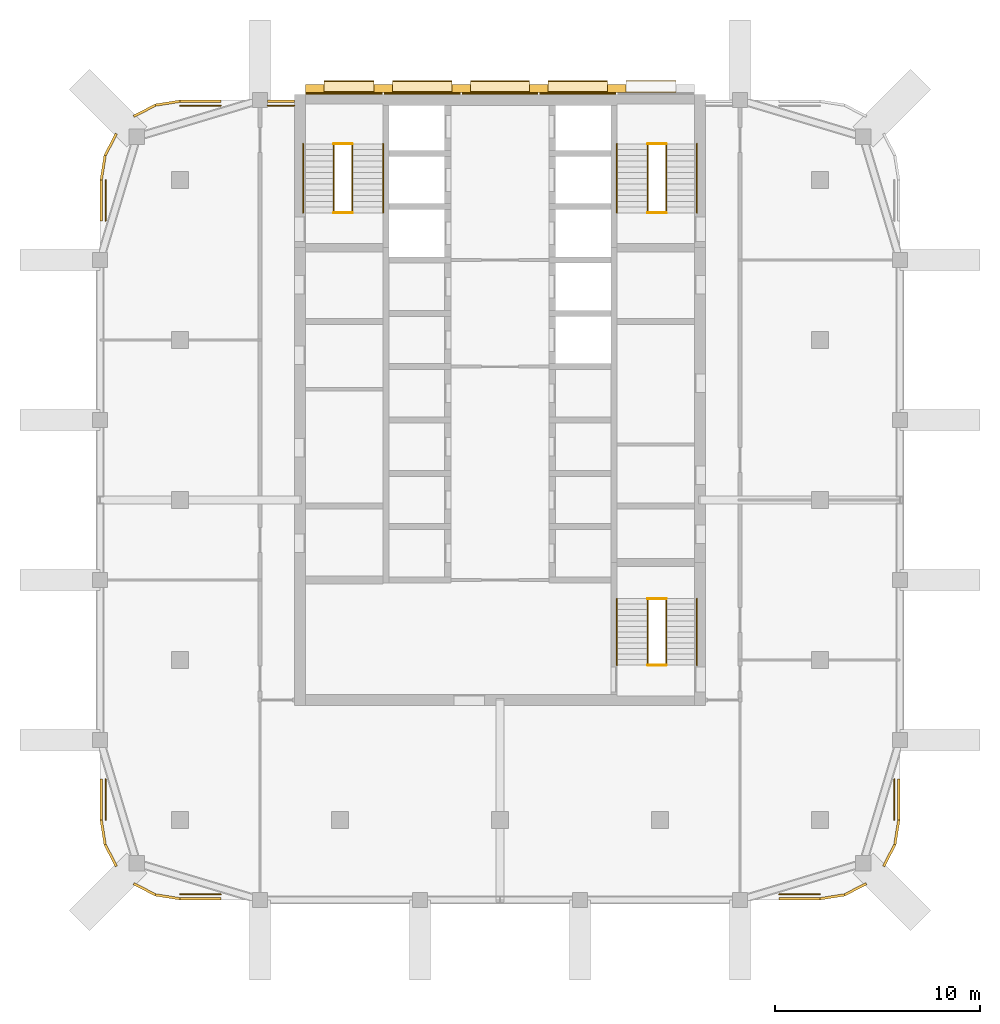
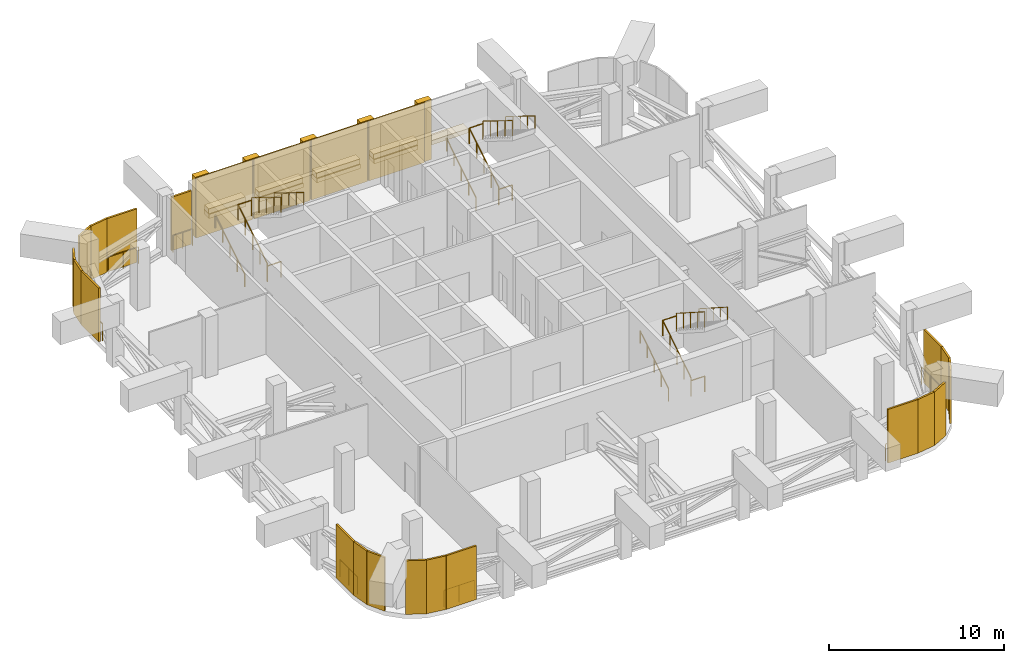
# One storey, part 12 of 13: 25 railings, 19 shading devices, 18 coverings, 3 elements without a shape of their own.
"""IFC4 building model written with IfcOpenShell, lengths in metres."""

import ifcopenshell
import ifcopenshell.guid

model = None  # the IFC model being written
_history = None  # IfcOwnerHistory: only IFC2X3 demands one
_inside = {}  # id of a spatial element -> (the spatial element, [elements in it])
_under = {}  # id of a project, library or spatial element -> (it, [spatial elements below it])
_declared = {}  # id of a project -> (the project, [libraries it declares])
_typed = {}  # id of a type object -> (the type object, [elements of that type])
_made_of = {}  # id of a material, layer set ... -> (it, [elements and type objects made of it])


def new_model(schema):
    """Start an empty IFC model of exactly this schema.

    Asked for "IFC4X3", IfcOpenShell would pick the latest addendum, in which some entities
    have other attributes; the version numbers below select the first issue.
    IFC2X3 requires an IfcOwnerHistory on every rooted entity: one is made here for all.
    """
    global model, _history
    if schema == "IFC4X3":
        model = ifcopenshell.file(schema_version=(4, 3, 0, 0))
    else:
        model = ifcopenshell.file(schema=schema)
    _inside.clear()
    _under.clear()
    _declared.clear()
    _typed.clear()
    _made_of.clear()
    _history = None
    if model.schema == "IFC2X3":
        org = make("IfcOrganization", Name="unknown")
        user = make(
            "IfcPersonAndOrganization",
            ThePerson=make("IfcPerson", FamilyName="unknown"),
            TheOrganization=org,
        )
        app = make(
            "IfcApplication",
            ApplicationDeveloper=org,
            Version="unknown",
            ApplicationFullName="unknown",
            ApplicationIdentifier="unknown",
        )
        _history = make(
            "IfcOwnerHistory",
            OwningUser=user,
            OwningApplication=app,
            ChangeAction="ADDED",
            CreationDate=0,
        )
    return model


def make(cls, **values):
    """One entity of the class cls with the attributes given. An attribute that is None is left unset."""
    return model.create_entity(
        cls, **{name: value for name, value in values.items() if value is not None}
    )


def rooted(cls, **values):
    """An entity with a GlobalId (a new one), such as an element, a storey or a relation."""
    return make(cls, GlobalId=ifcopenshell.guid.new(), OwnerHistory=_history, **values)


def si_unit(unit_type, name, prefix=None):
    """IfcSIUnit, for example si_unit("LENGTHUNIT", "METRE", prefix="MILLI")."""
    return make("IfcSIUnit", UnitType=unit_type, Prefix=prefix, Name=name)


def assignment(units):
    """IfcUnitAssignment: the units of a project."""
    return None if units is None else make("IfcUnitAssignment", Units=units)


def point(xyz):
    """IfcCartesianPoint."""
    return None if xyz is None else make("IfcCartesianPoint", Coordinates=xyz)


def direction(xyz):
    """IfcDirection."""
    return None if xyz is None else make("IfcDirection", DirectionRatios=xyz)


def frame(location, z_axis=None, x_axis=None):
    """IfcAxis2Placement3D, a coordinate frame: its origin and axes. An axis left out is left unset."""
    return make(
        "IfcAxis2Placement3D",
        Location=point(location),
        Axis=direction(z_axis),
        RefDirection=direction(x_axis),
    )


def frame_2d(location, x_axis=None):
    """IfcAxis2Placement2D, a coordinate frame in the plane: its origin and x axis."""
    return make(
        "IfcAxis2Placement2D", Location=point(location), RefDirection=direction(x_axis)
    )


def origin():
    """The frame at (0, 0, 0) with its axes left unset."""
    return frame((0.0, 0.0, 0.0))


def origin_2d():
    """The frame at (0, 0) in the plane with its x axis left unset."""
    return frame_2d((0.0, 0.0))


def place(relative_to, where):
    """IfcLocalPlacement: puts the frame where relative to a parent placement (None: the world)."""
    return make(
        "IfcLocalPlacement", PlacementRelTo=relative_to, RelativePlacement=where
    )


def context(
    kind, dimensions, precision=None, world=None, true_north=None, identifier=None
):
    """IfcGeometricRepresentationContext, for example the 3D "Model" context."""
    return make(
        "IfcGeometricRepresentationContext",
        ContextIdentifier=identifier,
        ContextType=kind,
        CoordinateSpaceDimension=dimensions,
        Precision=precision,
        WorldCoordinateSystem=world,
        TrueNorth=true_north,
    )


def subcontext(parent, identifier, kind, view, scale=None):
    """IfcGeometricRepresentationSubContext, for example "Body" below "Model"."""
    return make(
        "IfcGeometricRepresentationSubContext",
        ContextIdentifier=identifier,
        ContextType=kind,
        ParentContext=parent,
        TargetScale=scale,
        TargetView=view,
    )


def project(units=None, contexts=None):
    """IfcProject with its units and contexts."""
    return rooted(
        "IfcProject",
        Name="project",
        RepresentationContexts=contexts,
        UnitsInContext=assignment(units),
    )


def spatial(cls, under=None, at=None, **own):
    """A site, building, storey or space (cls), placed at a placement, below another one or the project."""
    s = rooted(cls, ObjectPlacement=at, **own)
    if under is not None:
        _under.setdefault(under.id(), (under, []))[1].append(s)
    return s


def profile(cls, at=None, kind="AREA", **sizes):
    """A parametric profile (cls). Its sizes go by their IFC names, for example OverallWidth=200.0."""
    return make(cls, ProfileType=kind, Position=at, **sizes)


def rectangle(**sizes):
    """IfcRectangleProfileDef."""
    return profile("IfcRectangleProfileDef", **sizes)


def circle(**sizes):
    """IfcCircleProfileDef."""
    return profile("IfcCircleProfileDef", **sizes)


def extrude(swept, where, along, depth):
    """IfcExtrudedAreaSolid: the profile swept, set in the frame where, extruded along a direction by depth."""
    return make(
        "IfcExtrudedAreaSolid",
        SweptArea=swept,
        Position=where,
        ExtrudedDirection=direction(along),
        Depth=depth,
    )


def shape(context_of_items, identifier, shape_type, items):
    """IfcShapeRepresentation: the items that make up one representation, for example the "Body"."""
    return make(
        "IfcShapeRepresentation",
        ContextOfItems=context_of_items,
        RepresentationIdentifier=identifier,
        RepresentationType=shape_type,
        Items=items,
    )


def material(Name=None, Category=None):
    """IfcMaterial."""
    return make("IfcMaterial", Name=Name, Category=Category)


def layer(
    of_material, thickness, ventilated=None, Name=None, Category=None, Priority=None
):
    """IfcMaterialLayer: one layer of a wall or slab, of a material (None: an air gap)."""
    return make(
        "IfcMaterialLayer",
        Material=of_material,
        LayerThickness=thickness,
        IsVentilated=ventilated,
        Name=Name,
        Category=Category,
        Priority=Priority,
    )


def layer_set(layers, Name=None):
    """IfcMaterialLayerSet."""
    return make("IfcMaterialLayerSet", MaterialLayers=layers, LayerSetName=Name)


def made_of(thing, what):
    """Note that an element or type object is made of a material, layer set ...; save() writes the relation."""
    if what is not None:
        _made_of.setdefault(what.id(), (what, []))[1].append(thing)
    return thing


def type_object(cls, material=None, **own):
    """A type object (cls), such as IfcWallType, which elements share."""
    return made_of(rooted(cls, **own), material)


def element(
    cls,
    number,
    at=None,
    inside=None,
    cuts=None,
    type_object=None,
    material=None,
    context=None,
    identifier="Body",
    shape_type=None,
    held_by="IfcProductDefinitionShape",
    body=None,
    shapes=None,
    **own,
):
    """One element of the class cls, such as IfcWall. Its Tag is "e" and its number.

    at: its placement. inside: the storey or other place that contains it. cuts: it is an
    opening in that element (IfcRelVoidsElement). A single representation is given by context,
    identifier, shape_type and body (its items); several are given by shapes. held_by: the class
    of the entity that holds the representations. save() writes the other relations.
    """
    e = rooted(cls, Tag="e%d" % number, ObjectPlacement=at, **own)
    if body is not None:
        shapes = [shape(context, identifier, shape_type, body)]
    if shapes is not None:
        e.Representation = make(held_by, Representations=shapes)
    if inside is not None:
        _inside.setdefault(inside.id(), (inside, []))[1].append(e)
    if cuts is not None:
        rooted(
            "IfcRelVoidsElement", RelatingBuildingElement=cuts, RelatedOpeningElement=e
        )
    if type_object is not None:
        _typed.setdefault(type_object.id(), (type_object, []))[1].append(e)
    return made_of(e, material)


def aggregate(whole, parts):
    """IfcRelAggregates: a whole, such as a stair, and the parts it consists of."""
    return rooted("IfcRelAggregates", RelatingObject=whole, RelatedObjects=parts)


def save(model, path):
    """Write the relations noted so far, then the file.

    IfcRelAggregates (storeys below a building ...), IfcRelContainedInSpatialStructure (elements
    in a storey), IfcRelDefinesByType, IfcRelAssociatesMaterial and IfcRelDeclares: one each for
    every whole, place, type object, material and project.
    """
    for whole, parts in _under.values():
        aggregate(whole, parts)
    for where, things in _inside.values():
        rooted(
            "IfcRelContainedInSpatialStructure",
            RelatedElements=things,
            RelatingStructure=where,
        )
    for kind, things in _typed.values():
        rooted("IfcRelDefinesByType", RelatedObjects=things, RelatingType=kind)
    for what, things in _made_of.values():
        rooted("IfcRelAssociatesMaterial", RelatedObjects=things, RelatingMaterial=what)
    for by, libraries in _declared.values():
        rooted("IfcRelDeclares", RelatingContext=by, RelatedDefinitions=libraries)
    model.write(path)


model = new_model("IFC4")

# Units and contexts
model_context = context("Model", 3, precision=1e-05, world=origin(), true_north=direction((0.0, 1.0)))
body_context = subcontext(model_context, "Body", "Model", "MODEL_VIEW")
ifc_project = project(units=[si_unit("LENGTHUNIT", "METRE"), si_unit("AREAUNIT", "SQUARE_METRE"), si_unit("VOLUMEUNIT", "CUBIC_METRE"), si_unit("PLANEANGLEUNIT", "RADIAN"), si_unit("MASSUNIT", "GRAM", prefix="KILO")], contexts=[model_context])

# Site, building, storey
site_placement = place(None, origin())
site = spatial("IfcSite", under=ifc_project, at=site_placement, CompositionType="ELEMENT")
building_placement = place(site_placement, origin())
building = spatial("IfcBuilding", under=site, at=building_placement, Name="Ludao Terraces", CompositionType="ELEMENT")
storey_placement = place(building_placement, frame((0.0, 0.0, 192.800048828125)))
storey = spatial("IfcBuildingStorey", under=building, at=storey_placement, Name="L52", CompositionType="ELEMENT", Elevation=192.800048828125)

# Coverings
ifc_material_1 = material(Name="Granite cladding", Category="masonry")
ifc_layer_1 = layer(ifc_material_1, 0.39990234375)
ifc_layer_set_1 = layer_set([ifc_layer_1], Name="ENV Core pilaster stone 400")
covering_type_1 = type_object("IfcCoveringType", Name="ENV Core pilaster stone 400", PredefinedType="CLADDING", material=ifc_layer_set_1)
for number, where, z_axis, x_axis, name in (
    (1, (75.97509765625, 85.054931640625, 0.0), (0.0, 0.0, 1.0), (1.0, 0.0, 0.0), "CC-L52-PIL1"),
    (2, (79.31494140625, 85.054931640625, 0.0), (0.0, 0.0, 1.0), (1.0, 0.0, 0.0), "CC-L52-PIL2"),
    (3, (83.10498046875, 85.054931640625, 0.0), (0.0, 0.0, 1.0), (1.0, 0.0, 0.0), "CC-L52-PIL3"),
    (4, (86.89501953125, 85.054931640625, 0.0), (0.0, 0.0, 1.0), (1.0, 0.0, 0.0), "CC-L52-PIL4"),
    (5, (90.68505859375, 85.054931640625, 0.0), (0.0, 0.0, 1.0), (1.0, 0.0, 0.0), "CC-L52-PIL5"),
):
    element("IfcCovering", number, at=place(storey_placement, frame(where, z_axis=z_axis, x_axis=x_axis)), inside=storey, type_object=covering_type_1, Name=name, PredefinedType="CLADDING", context=body_context, shape_type="SweptSolid", body=[
        extrude(rectangle(XDim=0.89990234375, YDim=0.39990234375, at=origin_2d()), origin(), (0.0, 0.0, 1.0), 4.199951171875),
    ])
ifc_layer_2 = layer(ifc_material_1, 0.60009765625)
ifc_layer_set_2 = layer_set([ifc_layer_2], Name="ENV Core planting shelf stone 600")
covering_type_2 = type_object("IfcCoveringType", Name="ENV Core planting shelf stone 600", PredefinedType="CLADDING", material=ifc_layer_set_2)
covering_1_placement = place(storey_placement, frame((77.64501953125, 85.155029296875, 1.0), z_axis=(0.0, 0.0, 1.0), x_axis=(1.0, 0.0, 0.0)))
element("IfcCovering", 6, at=covering_1_placement, inside=storey, type_object=covering_type_2, Name="CC-L52-SHELF1", PredefinedType="CLADDING", context=body_context, shape_type="SweptSolid", body=[
    extrude(rectangle(XDim=2.43994140625, YDim=0.60009765625, at=origin_2d()), origin(), (0.0, 0.0, 1.0), 0.300048828125),
])
for number, where, z_axis, x_axis, name in (
    (7, (81.2099609375, 85.155029296875, 1.0), (0.0, 0.0, 1.0), (1.0, 0.0, 0.0), "CC-L52-SHELF2"),
    (8, (85.0, 85.155029296875, 1.0), (0.0, 0.0, 1.0), (1.0, 0.0, 0.0), "CC-L52-SHELF3"),
    (9, (88.7900390625, 85.155029296875, 1.0), (0.0, 0.0, 1.0), (1.0, 0.0, 0.0), "CC-L52-SHELF4"),
):
    element("IfcCovering", number, at=place(storey_placement, frame(where, z_axis=z_axis, x_axis=x_axis)), inside=storey, type_object=covering_type_2, Name=name, PredefinedType="CLADDING", context=body_context, shape_type="SweptSolid", body=[
        extrude(rectangle(XDim=2.889892578125, YDim=0.60009765625, at=origin_2d()), origin(), (0.0, 0.0, 1.0), 0.300048828125),
    ])
covering_2_placement = place(storey_placement, frame((92.35498046875, 85.155029296875, 1.0), z_axis=(0.0, 0.0, 1.0), x_axis=(1.0, 0.0, 0.0)))
element("IfcCovering", 10, at=covering_2_placement, inside=storey, type_object=covering_type_2, Name="CC-L52-SHELF5", PredefinedType="CLADDING", context=body_context, shape_type="SweptSolid", body=[
    extrude(rectangle(XDim=2.43994140625, YDim=0.60009765625, at=origin_2d()), origin(), (0.0, 0.0, 1.0), 0.300048828125),
])
ifc_layer_3 = layer(ifc_material_1, 0.080078125)
ifc_layer_set_3 = layer_set([ifc_layer_3], Name="ENV Core stone cladding panel 80")
covering_type_3 = type_object("IfcCoveringType", Name="ENV Core stone cladding panel 80", PredefinedType="CLADDING", material=ifc_layer_set_3)
covering_3_placement = place(storey_placement, frame((77.39501953125, 84.81494140625, 0.0), z_axis=(0.0, 0.0, 1.0), x_axis=(1.0, 0.0, 0.0)))
element("IfcCovering", 11, at=covering_3_placement, inside=storey, type_object=covering_type_3, Name="CC-L52-CORE1", PredefinedType="CLADDING", context=body_context, shape_type="SweptSolid", body=[
    extrude(rectangle(XDim=3.739990234375, YDim=0.080078125, at=origin_2d()), origin(), (0.0, 0.0, 1.0), 4.199951171875),
])
for number, where, z_axis, x_axis, name in (
    (12, (81.2099609375, 84.81494140625, 0.0), (0.0, 0.0, 1.0), (1.0, 0.0, 0.0), "CC-L52-CORE2"),
    (13, (85.0, 84.81494140625, 0.0), (0.0, 0.0, 1.0), (1.0, 0.0, 0.0), "CC-L52-CORE3"),
    (14, (88.7900390625, 84.81494140625, 0.0), (0.0, 0.0, 1.0), (1.0, 0.0, 0.0), "CC-L52-CORE4"),
):
    element("IfcCovering", number, at=place(storey_placement, frame(where, z_axis=z_axis, x_axis=x_axis)), inside=storey, type_object=covering_type_3, Name=name, PredefinedType="CLADDING", context=body_context, shape_type="SweptSolid", body=[
        extrude(rectangle(XDim=3.68994140625, YDim=0.080078125, at=origin_2d()), origin(), (0.0, 0.0, 1.0), 4.199951171875),
    ])

# Shading devices
ifc_material_2 = material(Name="Aluminium 6063-T6", Category="aluminium")
ifc_layer_4 = layer(ifc_material_2, 0.1201171875)
ifc_layer_set_4 = layer_set([ifc_layer_4], Name="ENV Louvre screen 120")
shading_device_type = type_object("IfcShadingDeviceType", Name="ENV Louvre screen 120", PredefinedType="USERDEFINED", material=ifc_layer_set_4)
for number, where, z_axis, x_axis, name in (
    (15, (69.39990234375, 45.56005859375, 0.0), (0.0, 0.0, 1.0), (1.0, 0.0, 0.0), "LV-L52-S1"),
    (16, (98.60791015625, 45.56005859375, 0.0), (0.0, 0.0, 1.0), (1.0, 0.0, 0.0), "LV-L52-S5"),
    (17, (104.43994140625, 49.39990234375, 0.0), (0.0, 0.0, 1.0), (0.0, 1.0, 0.0), "LV-L52-E1"),
    (18, (69.39990234375, 84.43994140625, 0.0), (0.0, 0.0, 1.0), (1.0, 0.0, 0.0), "LV-L52-N1"),
):
    element("IfcShadingDevice", number, at=place(storey_placement, frame(where, z_axis=z_axis, x_axis=x_axis)), inside=storey, type_object=shading_device_type, Name=name, ObjectType="LOUVRE", PredefinedType="USERDEFINED", context=body_context, shape_type="SweptSolid", body=[
        extrude(rectangle(XDim=1.9921875, YDim=0.1201171875, at=frame_2d((0.99609375, 0.0))), origin(), (0.0, 0.0, 1.0), 3.75),
    ])
shading_device_placement = place(storey_placement, frame((73.675048828125, 84.43994140625, 0.0), z_axis=(0.0, 0.0, 1.0), x_axis=(1.0, 0.0, 0.0)))
element("IfcShadingDevice", 19, at=shading_device_placement, inside=storey, type_object=shading_device_type, Name="LV-L52-N2", ObjectType="LOUVRE", PredefinedType="USERDEFINED", context=body_context, shape_type="SweptSolid", body=[
    extrude(rectangle(XDim=1.300048828125, YDim=0.1201171875, at=frame_2d((0.64990234375, 0.0))), origin(), (0.0, 0.0, 1.0), 3.75),
])
for number, where, z_axis, x_axis, name in (
    (20, (65.56005859375, 49.39990234375, 0.0), (0.0, 0.0, 1.0), (0.0, 1.0, 0.0), "LV-L52-W1"),
    (21, (65.56005859375, 78.60791015625, 0.0), (0.0, 0.0, 1.0), (0.0, 1.0, 0.0), "LV-L52-W5"),
):
    element("IfcShadingDevice", number, at=place(storey_placement, frame(where, z_axis=z_axis, x_axis=x_axis)), inside=storey, type_object=shading_device_type, Name=name, ObjectType="LOUVRE", PredefinedType="USERDEFINED", context=body_context, shape_type="SweptSolid", body=[
        extrude(rectangle(XDim=1.9921875, YDim=0.1201171875, at=frame_2d((0.99609375, 0.0))), origin(), (0.0, 0.0, 1.0), 3.75),
    ])
for number, where, z_axis, x_axis, name in (
    (22, (100.60009765625, 45.56005859375, 0.0), (0.0, 0.0, 1.0), (0.987680438414, 0.156484349296, 0.0), "LV-L52-SE1"),
    (23, (101.78662109375, 45.748046875, 0.0), (0.0, 0.0, 1.0), (0.891028641699, 0.453947089066, 0.0), "LV-L52-SE2"),
    (24, (103.70654296875, 47.142822265625, 0.0), (0.0, 0.0, 1.0), (0.453947089066, 0.891028641699, 0.0), "LV-L52-SE4"),
    (25, (104.251953125, 48.21337890625, 0.0), (0.0, 0.0, 1.0), (0.156484349296, 0.987680438414, 0.0), "LV-L52-SE5"),
    (26, (69.39990234375, 84.43994140625, 0.0), (0.0, 0.0, 1.0), (-0.987680438414, -0.156484349296, 0.0), "LV-L52-NW1"),
    (27, (68.21337890625, 84.251953125, 0.0), (0.0, 0.0, 1.0), (-0.891028641699, -0.453947089066, 0.0), "LV-L52-NW2"),
    (28, (66.29345703125, 82.857177734375, 0.0), (0.0, 0.0, 1.0), (-0.453947089066, -0.891028641699, 0.0), "LV-L52-NW4"),
    (29, (65.748046875, 81.78662109375, 0.0), (0.0, 0.0, 1.0), (-0.156484349296, -0.987680438414, 0.0), "LV-L52-NW5"),
    (30, (65.56005859375, 49.39990234375, 0.0), (0.0, 0.0, 1.0), (0.156484349296, -0.987680438414, 0.0), "LV-L52-SW1"),
    (31, (65.748046875, 48.21337890625, 0.0), (0.0, 0.0, 1.0), (0.453947089066, -0.891028641699, 0.0), "LV-L52-SW2"),
    (32, (67.142822265625, 46.29345703125, 0.0), (0.0, 0.0, 1.0), (0.891028641699, -0.453947089066, 0.0), "LV-L52-SW4"),
    (33, (68.21337890625, 45.748046875, 0.0), (0.0, 0.0, 1.0), (0.987680438414, -0.156484349296, 0.0), "LV-L52-SW5"),
):
    element("IfcShadingDevice", number, at=place(storey_placement, frame(where, z_axis=z_axis, x_axis=x_axis)), inside=storey, type_object=shading_device_type, Name=name, ObjectType="LOUVRE", PredefinedType="USERDEFINED", context=body_context, shape_type="SweptSolid", body=[
        extrude(rectangle(XDim=1.201416015625, YDim=0.1201171875, at=frame_2d((0.6005859375, 0.0))), origin(), (0.0, 0.0, 1.0), 3.75),
    ])

# Railings
ifc_material_3 = material(Name="Steel Q235", Category="steel")
railing_type_1 = type_object("IfcRailingType", Name="ENV Open-edge guard 1200", PredefinedType="GUARDRAIL", material=ifc_material_3)
for number, where, name in (
    (34, (69.39990234375, 45.77001953125, 0.0), "Guard L52 S1"),
    (35, (98.60791015625, 45.77001953125, 0.0), "Guard L52 S5"),
):
    element("IfcRailing", number, at=place(storey_placement, frame(where)), inside=storey, type_object=railing_type_1, Name=name, PredefinedType="GUARDRAIL", context=body_context, shape_type="SweptSolid", body=[
        extrude(circle(Radius=0.02392578125, at=origin_2d()), frame((0.0, 0.0, 1.17578125), z_axis=(1.0, 0.0, 0.0), x_axis=(0.0, 1.0, 0.0)), (0.0, 0.0, 1.0), 1.9921875),
        extrude(circle(Radius=0.02099609375, at=origin_2d()), origin(), (0.0, 0.0, 1.0), 1.15185546875),
        extrude(circle(Radius=0.02099609375, at=origin_2d()), frame((0.99609375, 0.0, 0.0)), (0.0, 0.0, 1.0), 1.15185546875),
        extrude(circle(Radius=0.02099609375, at=origin_2d()), frame((1.9921875, 0.0, 0.0)), (0.0, 0.0, 1.0), 1.15185546875),
    ])
railing_1_placement = place(storey_placement, frame((104.22998046875, 49.39990234375, 0.0)))
element("IfcRailing", 36, at=railing_1_placement, inside=storey, type_object=railing_type_1, Name="Guard L52 E1", PredefinedType="GUARDRAIL", context=body_context, shape_type="SweptSolid", body=[
    extrude(circle(Radius=0.02392578125, at=origin_2d()), frame((0.0, 0.0, 1.17578125), z_axis=(0.0, 1.0, 0.0), x_axis=(-1.0, 0.0, 0.0)), (0.0, 0.0, 1.0), 1.9921875),
    extrude(circle(Radius=0.02099609375, at=origin_2d()), origin(), (0.0, 0.0, 1.0), 1.15185546875),
    extrude(circle(Radius=0.02099609375, at=origin_2d()), frame((0.0, 0.99609375, 0.0)), (0.0, 0.0, 1.0), 1.15185546875),
    extrude(circle(Radius=0.02099609375, at=origin_2d()), frame((0.0, 1.9921875, 0.0)), (0.0, 0.0, 1.0), 1.15185546875),
])
railing_2_placement = place(storey_placement, frame((69.39990234375, 84.22998046875, 0.0)))
element("IfcRailing", 37, at=railing_2_placement, inside=storey, type_object=railing_type_1, Name="Guard L52 N1", PredefinedType="GUARDRAIL", context=body_context, shape_type="SweptSolid", body=[
    extrude(circle(Radius=0.02392578125, at=origin_2d()), frame((0.0, 0.0, 1.17578125), z_axis=(1.0, 0.0, 0.0), x_axis=(0.0, 1.0, 0.0)), (0.0, 0.0, 1.0), 1.9921875),
    extrude(circle(Radius=0.02099609375, at=origin_2d()), origin(), (0.0, 0.0, 1.0), 1.15185546875),
    extrude(circle(Radius=0.02099609375, at=origin_2d()), frame((0.99609375, 0.0, 0.0)), (0.0, 0.0, 1.0), 1.15185546875),
    extrude(circle(Radius=0.02099609375, at=origin_2d()), frame((1.9921875, 0.0, 0.0)), (0.0, 0.0, 1.0), 1.15185546875),
])
railing_3_placement = place(storey_placement, frame((73.675048828125, 84.22998046875, 0.0)))
element("IfcRailing", 38, at=railing_3_placement, inside=storey, type_object=railing_type_1, Name="Guard L52 N2", PredefinedType="GUARDRAIL", context=body_context, shape_type="SweptSolid", body=[
    extrude(circle(Radius=0.02392578125, at=origin_2d()), frame((0.0, 0.0, 1.17578125), z_axis=(1.0, 0.0, 0.0), x_axis=(0.0, 1.0, 0.0)), (0.0, 0.0, 1.0), 1.300048828125),
    extrude(circle(Radius=0.02099609375, at=origin_2d()), origin(), (0.0, 0.0, 1.0), 1.15185546875),
    extrude(circle(Radius=0.02099609375, at=origin_2d()), frame((0.64990234375, 0.0, 0.0)), (0.0, 0.0, 1.0), 1.15185546875),
    extrude(circle(Radius=0.02099609375, at=origin_2d()), frame((1.300048828125, 0.0, 0.0)), (0.0, 0.0, 1.0), 1.15185546875),
])
for number, where, name in (
    (39, (65.77001953125, 49.39990234375, 0.0), "Guard L52 W1"),
    (40, (65.77001953125, 78.60791015625, 0.0), "Guard L52 W5"),
):
    element("IfcRailing", number, at=place(storey_placement, frame(where)), inside=storey, type_object=railing_type_1, Name=name, PredefinedType="GUARDRAIL", context=body_context, shape_type="SweptSolid", body=[
        extrude(circle(Radius=0.02392578125, at=origin_2d()), frame((0.0, 0.0, 1.17578125), z_axis=(0.0, 1.0, 0.0), x_axis=(-1.0, 0.0, 0.0)), (0.0, 0.0, 1.0), 1.9921875),
        extrude(circle(Radius=0.02099609375, at=origin_2d()), origin(), (0.0, 0.0, 1.0), 1.15185546875),
        extrude(circle(Radius=0.02099609375, at=origin_2d()), frame((0.0, 0.99609375, 0.0)), (0.0, 0.0, 1.0), 1.15185546875),
        extrude(circle(Radius=0.02099609375, at=origin_2d()), frame((0.0, 1.9921875, 0.0)), (0.0, 0.0, 1.0), 1.15185546875),
    ])

# Coverings
ifc_material_4 = material(Name="Planting")
ifc_layer_5 = layer(ifc_material_4, 0.5)
ifc_layer_set_5 = layer_set([ifc_layer_5], Name="ENV Shelf planting bed 350")
covering_type_4 = type_object("IfcCoveringType", Name="ENV Shelf planting bed 350", PredefinedType="USERDEFINED", material=ifc_layer_set_5)
covering_4_placement = place(storey_placement, frame((77.64501953125, 85.155029296875, 1.2998046875), z_axis=(0.0, 0.0, 1.0), x_axis=(1.0, 0.0, 0.0)))
element("IfcCovering", 41, at=covering_4_placement, inside=storey, type_object=covering_type_4, Name="Shelf planting bed L52 1", ObjectType="PLANTING", PredefinedType="USERDEFINED", context=body_context, shape_type="SweptSolid", body=[
    extrude(rectangle(XDim=2.43994140625, YDim=0.5, at=origin_2d()), origin(), (0.0, 0.0, 1.0), 0.35009765625),
])
for number, where, z_axis, x_axis, name in (
    (42, (81.2099609375, 85.155029296875, 1.2998046875), (0.0, 0.0, 1.0), (1.0, 0.0, 0.0), "Shelf planting bed L52 2"),
    (43, (85.0, 85.155029296875, 1.2998046875), (0.0, 0.0, 1.0), (1.0, 0.0, 0.0), "Shelf planting bed L52 3"),
    (44, (88.7900390625, 85.155029296875, 1.2998046875), (0.0, 0.0, 1.0), (1.0, 0.0, 0.0), "Shelf planting bed L52 4"),
):
    element("IfcCovering", number, at=place(storey_placement, frame(where, z_axis=z_axis, x_axis=x_axis)), inside=storey, type_object=covering_type_4, Name=name, ObjectType="PLANTING", PredefinedType="USERDEFINED", context=body_context, shape_type="SweptSolid", body=[
        extrude(rectangle(XDim=2.889892578125, YDim=0.5, at=origin_2d()), origin(), (0.0, 0.0, 1.0), 0.35009765625),
    ])

# Stair, railings
ifc_material_5 = material(Name="Concrete C40", Category="concrete")
stair_type = type_object("IfcStairType", Name="INT Stair", PredefinedType="HALF_TURN_STAIR", material=ifc_material_5)
stair_1_placement = place(storey_placement, origin())
stair_1 = element("IfcStair", 45, at=stair_1_placement, inside=storey, type_object=stair_type, Name="EXIT STAIR 1", PredefinedType="HALF_TURN_STAIR")
ifc_material_6 = material(Name="Stainless steel 304", Category="steel")
railing_type_2 = type_object("IfcRailingType", Name="INT Stair guard 1100", PredefinedType="GUARDRAIL", material=ifc_material_6)
railing_4_placement = place(storey_placement, frame((76.89990234375, 79.0, 0.173095703125)))
railing_4 = element("IfcRailing", 46, at=railing_4_placement, type_object=railing_type_2, Name="ST-L52-S1-R1G", PredefinedType="GUARDRAIL", context=body_context, shape_type="SweptSolid", body=[
    extrude(circle(Radius=0.02392578125, at=origin_2d()), frame((0.0, 0.0, 1.076171875), z_axis=(0.0, 0.850623216509, 0.525775754039), x_axis=(-1.0, 0.0, 0.0)), (0.0, 0.0, 1.0), 3.9501953125),
    extrude(circle(Radius=0.02099609375, at=origin_2d()), origin(), (0.0, 0.0, 1.0), 1.052001953125),
    extrude(circle(Radius=0.02099609375, at=origin_2d()), frame((0.0, 0.840087890625, 0.519287109375)), (0.0, 0.0, 1.0), 1.052001953125),
    extrude(circle(Radius=0.02099609375, at=origin_2d()), frame((0.0, 1.68017578125, 1.03857421875)), (0.0, 0.0, 1.0), 1.052001953125),
    extrude(circle(Radius=0.02099609375, at=origin_2d()), frame((0.0, 2.52001953125, 1.5576171875)), (0.0, 0.0, 1.0), 1.052001953125),
    extrude(circle(Radius=0.02099609375, at=origin_2d()), frame((0.0, 3.360107421875, 2.076904296875)), (0.0, 0.0, 1.0), 1.052001953125),
])
railing_5_placement = place(storey_placement, frame((77.800048828125, 82.360107421875, 2.423095703125)))
railing_5 = element("IfcRailing", 47, at=railing_5_placement, type_object=railing_type_2, Name="ST-L52-S1-R2G", PredefinedType="GUARDRAIL", context=body_context, shape_type="SweptSolid", body=[
    extrude(circle(Radius=0.02392578125, at=origin_2d()), frame((0.0, 0.0, 1.076171875), z_axis=(0.0, -0.850623216509, 0.525775754039), x_axis=(1.0, 0.0, 0.0)), (0.0, 0.0, 1.0), 3.9501953125),
    extrude(circle(Radius=0.02099609375, at=origin_2d()), origin(), (0.0, 0.0, 1.0), 1.052001953125),
    extrude(circle(Radius=0.02099609375, at=origin_2d()), frame((0.0, -0.840087890625, 0.519287109375)), (0.0, 0.0, 1.0), 1.052001953125),
    extrude(circle(Radius=0.02099609375, at=origin_2d()), frame((0.0, -1.68017578125, 1.03857421875)), (0.0, 0.0, 1.0), 1.052001953125),
    extrude(circle(Radius=0.02099609375, at=origin_2d()), frame((0.0, -2.52001953125, 1.5576171875)), (0.0, 0.0, 1.0), 1.052001953125),
    extrude(circle(Radius=0.02099609375, at=origin_2d()), frame((0.0, -3.360107421875, 2.076904296875)), (0.0, 0.0, 1.0), 1.052001953125),
])
railing_6_placement = place(storey_placement, frame((76.89990234375, 82.360107421875, 2.25)))
railing_6 = element("IfcRailing", 48, at=railing_6_placement, type_object=railing_type_2, Name="ST-L52-S1-E1G", PredefinedType="GUARDRAIL", context=body_context, shape_type="SweptSolid", body=[
    extrude(circle(Radius=0.02392578125, at=origin_2d()), frame((0.0, 0.0, 1.076171875), z_axis=(1.0, 0.0, 0.0), x_axis=(0.0, 1.0, 0.0)), (0.0, 0.0, 1.0), 0.900146484375),
    extrude(circle(Radius=0.02099609375, at=origin_2d()), origin(), (0.0, 0.0, 1.0), 1.052001953125),
    extrude(circle(Radius=0.02099609375, at=origin_2d()), frame((0.900146484375, 0.0, 0.0)), (0.0, 0.0, 1.0), 1.052001953125),
])
railing_7_placement = place(storey_placement, frame((76.89990234375, 79.0, 0.0)))
railing_7 = element("IfcRailing", 49, at=railing_7_placement, type_object=railing_type_2, Name="ST-L52-S1-E2G", PredefinedType="GUARDRAIL", context=body_context, shape_type="SweptSolid", body=[
    extrude(circle(Radius=0.02392578125, at=origin_2d()), frame((0.0, 0.0, 1.076171875), z_axis=(1.0, 0.0, 0.0), x_axis=(0.0, 1.0, 0.0)), (0.0, 0.0, 1.0), 0.900146484375),
    extrude(circle(Radius=0.02099609375, at=origin_2d()), origin(), (0.0, 0.0, 1.0), 1.052001953125),
    extrude(circle(Radius=0.02099609375, at=origin_2d()), frame((0.900146484375, 0.0, 0.0)), (0.0, 0.0, 1.0), 1.052001953125),
])

stair_2_placement = place(storey_placement, origin())
stair_2 = element("IfcStair", 50, at=stair_2_placement, inside=storey, type_object=stair_type, Name="EXIT STAIR 2", PredefinedType="HALF_TURN_STAIR")
railing_8_placement = place(storey_placement, frame((92.199951171875, 79.0, 0.173095703125)))
railing_8 = element("IfcRailing", 51, at=railing_8_placement, type_object=railing_type_2, Name="ST-L52-S2-R1G", PredefinedType="GUARDRAIL", context=body_context, shape_type="SweptSolid", body=[
    extrude(circle(Radius=0.02392578125, at=origin_2d()), frame((0.0, 0.0, 1.076171875), z_axis=(0.0, 0.850623216509, 0.525775754039), x_axis=(-1.0, 0.0, 0.0)), (0.0, 0.0, 1.0), 3.9501953125),
    extrude(circle(Radius=0.02099609375, at=origin_2d()), origin(), (0.0, 0.0, 1.0), 1.052001953125),
    extrude(circle(Radius=0.02099609375, at=origin_2d()), frame((0.0, 0.840087890625, 0.519287109375)), (0.0, 0.0, 1.0), 1.052001953125),
    extrude(circle(Radius=0.02099609375, at=origin_2d()), frame((0.0, 1.68017578125, 1.03857421875)), (0.0, 0.0, 1.0), 1.052001953125),
    extrude(circle(Radius=0.02099609375, at=origin_2d()), frame((0.0, 2.52001953125, 1.5576171875)), (0.0, 0.0, 1.0), 1.052001953125),
    extrude(circle(Radius=0.02099609375, at=origin_2d()), frame((0.0, 3.360107421875, 2.076904296875)), (0.0, 0.0, 1.0), 1.052001953125),
])
railing_9_placement = place(storey_placement, frame((93.10009765625, 82.360107421875, 2.423095703125)))
railing_9 = element("IfcRailing", 52, at=railing_9_placement, type_object=railing_type_2, Name="ST-L52-S2-R2G", PredefinedType="GUARDRAIL", context=body_context, shape_type="SweptSolid", body=[
    extrude(circle(Radius=0.02392578125, at=origin_2d()), frame((0.0, 0.0, 1.076171875), z_axis=(0.0, -0.850623216509, 0.525775754039), x_axis=(1.0, 0.0, 0.0)), (0.0, 0.0, 1.0), 3.9501953125),
    extrude(circle(Radius=0.02099609375, at=origin_2d()), origin(), (0.0, 0.0, 1.0), 1.052001953125),
    extrude(circle(Radius=0.02099609375, at=origin_2d()), frame((0.0, -0.840087890625, 0.519287109375)), (0.0, 0.0, 1.0), 1.052001953125),
    extrude(circle(Radius=0.02099609375, at=origin_2d()), frame((0.0, -1.68017578125, 1.03857421875)), (0.0, 0.0, 1.0), 1.052001953125),
    extrude(circle(Radius=0.02099609375, at=origin_2d()), frame((0.0, -2.52001953125, 1.5576171875)), (0.0, 0.0, 1.0), 1.052001953125),
    extrude(circle(Radius=0.02099609375, at=origin_2d()), frame((0.0, -3.360107421875, 2.076904296875)), (0.0, 0.0, 1.0), 1.052001953125),
])
railing_10_placement = place(storey_placement, frame((92.199951171875, 82.360107421875, 2.25)))
railing_10 = element("IfcRailing", 53, at=railing_10_placement, type_object=railing_type_2, Name="ST-L52-S2-E1G", PredefinedType="GUARDRAIL", context=body_context, shape_type="SweptSolid", body=[
    extrude(circle(Radius=0.02392578125, at=origin_2d()), frame((0.0, 0.0, 1.076171875), z_axis=(1.0, 0.0, 0.0), x_axis=(0.0, 1.0, 0.0)), (0.0, 0.0, 1.0), 0.900146484375),
    extrude(circle(Radius=0.02099609375, at=origin_2d()), origin(), (0.0, 0.0, 1.0), 1.052001953125),
    extrude(circle(Radius=0.02099609375, at=origin_2d()), frame((0.900146484375, 0.0, 0.0)), (0.0, 0.0, 1.0), 1.052001953125),
])
railing_11_placement = place(storey_placement, frame((92.199951171875, 79.0, 0.0)))
railing_11 = element("IfcRailing", 54, at=railing_11_placement, type_object=railing_type_2, Name="ST-L52-S2-E2G", PredefinedType="GUARDRAIL", context=body_context, shape_type="SweptSolid", body=[
    extrude(circle(Radius=0.02392578125, at=origin_2d()), frame((0.0, 0.0, 1.076171875), z_axis=(1.0, 0.0, 0.0), x_axis=(0.0, 1.0, 0.0)), (0.0, 0.0, 1.0), 0.900146484375),
    extrude(circle(Radius=0.02099609375, at=origin_2d()), origin(), (0.0, 0.0, 1.0), 1.052001953125),
    extrude(circle(Radius=0.02099609375, at=origin_2d()), frame((0.900146484375, 0.0, 0.0)), (0.0, 0.0, 1.0), 1.052001953125),
])

stair_3_placement = place(storey_placement, origin())
stair_3 = element("IfcStair", 55, at=stair_3_placement, inside=storey, type_object=stair_type, Name="EXIT STAIR 3", PredefinedType="HALF_TURN_STAIR")
railing_12_placement = place(storey_placement, frame((92.199951171875, 56.949951171875, 0.173095703125)))
railing_12 = element("IfcRailing", 56, at=railing_12_placement, type_object=railing_type_2, Name="ST-L52-S3-R1G", PredefinedType="GUARDRAIL", context=body_context, shape_type="SweptSolid", body=[
    extrude(circle(Radius=0.02392578125, at=origin_2d()), frame((0.0, 0.0, 1.076171875), z_axis=(0.0, 0.841880617004, 0.539663808971), x_axis=(-1.0, 0.0, 0.0)), (0.0, 0.0, 1.0), 3.8486328125),
    extrude(circle(Radius=0.02099609375, at=origin_2d()), origin(), (0.0, 0.0, 1.0), 1.052001953125),
    extrude(circle(Radius=0.02099609375, at=origin_2d()), frame((0.0, 0.81005859375, 0.519287109375)), (0.0, 0.0, 1.0), 1.052001953125),
    extrude(circle(Radius=0.02099609375, at=origin_2d()), frame((0.0, 1.6201171875, 1.03857421875)), (0.0, 0.0, 1.0), 1.052001953125),
    extrude(circle(Radius=0.02099609375, at=origin_2d()), frame((0.0, 2.429931640625, 1.5576171875)), (0.0, 0.0, 1.0), 1.052001953125),
    extrude(circle(Radius=0.02099609375, at=origin_2d()), frame((0.0, 3.239990234375, 2.076904296875)), (0.0, 0.0, 1.0), 1.052001953125),
])
railing_13_placement = place(storey_placement, frame((93.10009765625, 60.18994140625, 2.423095703125)))
railing_13 = element("IfcRailing", 57, at=railing_13_placement, type_object=railing_type_2, Name="ST-L52-S3-R2G", PredefinedType="GUARDRAIL", context=body_context, shape_type="SweptSolid", body=[
    extrude(circle(Radius=0.02392578125, at=origin_2d()), frame((0.0, 0.0, 1.076171875), z_axis=(0.0, -0.841880617004, 0.539663808971), x_axis=(1.0, 0.0, 0.0)), (0.0, 0.0, 1.0), 3.8486328125),
    extrude(circle(Radius=0.02099609375, at=origin_2d()), origin(), (0.0, 0.0, 1.0), 1.052001953125),
    extrude(circle(Radius=0.02099609375, at=origin_2d()), frame((0.0, -0.81005859375, 0.519287109375)), (0.0, 0.0, 1.0), 1.052001953125),
    extrude(circle(Radius=0.02099609375, at=origin_2d()), frame((0.0, -1.6201171875, 1.03857421875)), (0.0, 0.0, 1.0), 1.052001953125),
    extrude(circle(Radius=0.02099609375, at=origin_2d()), frame((0.0, -2.429931640625, 1.5576171875)), (0.0, 0.0, 1.0), 1.052001953125),
    extrude(circle(Radius=0.02099609375, at=origin_2d()), frame((0.0, -3.239990234375, 2.076904296875)), (0.0, 0.0, 1.0), 1.052001953125),
])
railing_14_placement = place(storey_placement, frame((92.199951171875, 60.18994140625, 2.25)))
railing_14 = element("IfcRailing", 58, at=railing_14_placement, type_object=railing_type_2, Name="ST-L52-S3-E1G", PredefinedType="GUARDRAIL", context=body_context, shape_type="SweptSolid", body=[
    extrude(circle(Radius=0.02392578125, at=origin_2d()), frame((0.0, 0.0, 1.076171875), z_axis=(1.0, 0.0, 0.0), x_axis=(0.0, 1.0, 0.0)), (0.0, 0.0, 1.0), 0.900146484375),
    extrude(circle(Radius=0.02099609375, at=origin_2d()), origin(), (0.0, 0.0, 1.0), 1.052001953125),
    extrude(circle(Radius=0.02099609375, at=origin_2d()), frame((0.900146484375, 0.0, 0.0)), (0.0, 0.0, 1.0), 1.052001953125),
])
railing_15_placement = place(storey_placement, frame((92.199951171875, 56.949951171875, 0.0)))
railing_15 = element("IfcRailing", 59, at=railing_15_placement, type_object=railing_type_2, Name="ST-L52-S3-E2G", PredefinedType="GUARDRAIL", context=body_context, shape_type="SweptSolid", body=[
    extrude(circle(Radius=0.02392578125, at=origin_2d()), frame((0.0, 0.0, 1.076171875), z_axis=(1.0, 0.0, 0.0), x_axis=(0.0, 1.0, 0.0)), (0.0, 0.0, 1.0), 0.900146484375),
    extrude(circle(Radius=0.02099609375, at=origin_2d()), origin(), (0.0, 0.0, 1.0), 1.052001953125),
    extrude(circle(Radius=0.02099609375, at=origin_2d()), frame((0.900146484375, 0.0, 0.0)), (0.0, 0.0, 1.0), 1.052001953125),
])

# Railing
railing_type_3 = type_object("IfcRailingType", Name="INT Stair handrail 900", PredefinedType="HANDRAIL", material=ifc_material_6)
railing_16_placement = place(storey_placement, frame((75.39990234375, 79.0, 0.173095703125)))
railing_16 = element("IfcRailing", 60, at=railing_16_placement, type_object=railing_type_3, Name="ST-L52-S1-R1H", PredefinedType="HANDRAIL", context=body_context, shape_type="SweptSolid", body=[
    extrude(circle(Radius=0.02392578125, at=origin_2d()), frame((0.0, 0.0, 0.8759765625), z_axis=(0.0, 0.850623216509, 0.525775754039), x_axis=(-1.0, 0.0, 0.0)), (0.0, 0.0, 1.0), 3.9501953125),
    extrude(circle(Radius=0.02099609375, at=origin_2d()), origin(), (0.0, 0.0, 1.0), 0.851806640625),
    extrude(circle(Radius=0.02099609375, at=origin_2d()), frame((0.0, 0.840087890625, 0.519287109375)), (0.0, 0.0, 1.0), 0.851806640625),
    extrude(circle(Radius=0.02099609375, at=origin_2d()), frame((0.0, 1.68017578125, 1.03857421875)), (0.0, 0.0, 1.0), 0.851806640625),
    extrude(circle(Radius=0.02099609375, at=origin_2d()), frame((0.0, 2.52001953125, 1.5576171875)), (0.0, 0.0, 1.0), 0.851806640625),
    extrude(circle(Radius=0.02099609375, at=origin_2d()), frame((0.0, 3.360107421875, 2.076904296875)), (0.0, 0.0, 1.0), 0.851806640625),
])

railing_17_placement = place(storey_placement, frame((79.300048828125, 82.360107421875, 2.423095703125)))
railing_17 = element("IfcRailing", 61, at=railing_17_placement, type_object=railing_type_3, Name="ST-L52-S1-R2H", PredefinedType="HANDRAIL", context=body_context, shape_type="SweptSolid", body=[
    extrude(circle(Radius=0.02392578125, at=origin_2d()), frame((0.0, 0.0, 0.8759765625), z_axis=(0.0, -0.850623216509, 0.525775754039), x_axis=(1.0, 0.0, 0.0)), (0.0, 0.0, 1.0), 3.9501953125),
    extrude(circle(Radius=0.02099609375, at=origin_2d()), origin(), (0.0, 0.0, 1.0), 0.851806640625),
    extrude(circle(Radius=0.02099609375, at=origin_2d()), frame((0.0, -0.840087890625, 0.519287109375)), (0.0, 0.0, 1.0), 0.851806640625),
    extrude(circle(Radius=0.02099609375, at=origin_2d()), frame((0.0, -1.68017578125, 1.03857421875)), (0.0, 0.0, 1.0), 0.851806640625),
    extrude(circle(Radius=0.02099609375, at=origin_2d()), frame((0.0, -2.52001953125, 1.5576171875)), (0.0, 0.0, 1.0), 0.851806640625),
    extrude(circle(Radius=0.02099609375, at=origin_2d()), frame((0.0, -3.360107421875, 2.076904296875)), (0.0, 0.0, 1.0), 0.851806640625),
])

aggregate(stair_1, [railing_4, railing_16, railing_5, railing_17, railing_6, railing_7])

railing_18_placement = place(storey_placement, frame((90.699951171875, 79.0, 0.173095703125)))
railing_18 = element("IfcRailing", 62, at=railing_18_placement, type_object=railing_type_3, Name="ST-L52-S2-R1H", PredefinedType="HANDRAIL", context=body_context, shape_type="SweptSolid", body=[
    extrude(circle(Radius=0.02392578125, at=origin_2d()), frame((0.0, 0.0, 0.8759765625), z_axis=(0.0, 0.850623216509, 0.525775754039), x_axis=(-1.0, 0.0, 0.0)), (0.0, 0.0, 1.0), 3.9501953125),
    extrude(circle(Radius=0.02099609375, at=origin_2d()), origin(), (0.0, 0.0, 1.0), 0.851806640625),
    extrude(circle(Radius=0.02099609375, at=origin_2d()), frame((0.0, 0.840087890625, 0.519287109375)), (0.0, 0.0, 1.0), 0.851806640625),
    extrude(circle(Radius=0.02099609375, at=origin_2d()), frame((0.0, 1.68017578125, 1.03857421875)), (0.0, 0.0, 1.0), 0.851806640625),
    extrude(circle(Radius=0.02099609375, at=origin_2d()), frame((0.0, 2.52001953125, 1.5576171875)), (0.0, 0.0, 1.0), 0.851806640625),
    extrude(circle(Radius=0.02099609375, at=origin_2d()), frame((0.0, 3.360107421875, 2.076904296875)), (0.0, 0.0, 1.0), 0.851806640625),
])

railing_19_placement = place(storey_placement, frame((94.60009765625, 82.360107421875, 2.423095703125)))
railing_19 = element("IfcRailing", 63, at=railing_19_placement, type_object=railing_type_3, Name="ST-L52-S2-R2H", PredefinedType="HANDRAIL", context=body_context, shape_type="SweptSolid", body=[
    extrude(circle(Radius=0.02392578125, at=origin_2d()), frame((0.0, 0.0, 0.8759765625), z_axis=(0.0, -0.850623216509, 0.525775754039), x_axis=(1.0, 0.0, 0.0)), (0.0, 0.0, 1.0), 3.9501953125),
    extrude(circle(Radius=0.02099609375, at=origin_2d()), origin(), (0.0, 0.0, 1.0), 0.851806640625),
    extrude(circle(Radius=0.02099609375, at=origin_2d()), frame((0.0, -0.840087890625, 0.519287109375)), (0.0, 0.0, 1.0), 0.851806640625),
    extrude(circle(Radius=0.02099609375, at=origin_2d()), frame((0.0, -1.68017578125, 1.03857421875)), (0.0, 0.0, 1.0), 0.851806640625),
    extrude(circle(Radius=0.02099609375, at=origin_2d()), frame((0.0, -2.52001953125, 1.5576171875)), (0.0, 0.0, 1.0), 0.851806640625),
    extrude(circle(Radius=0.02099609375, at=origin_2d()), frame((0.0, -3.360107421875, 2.076904296875)), (0.0, 0.0, 1.0), 0.851806640625),
])

aggregate(stair_2, [railing_8, railing_18, railing_9, railing_19, railing_10, railing_11])

railing_20_placement = place(storey_placement, frame((90.699951171875, 56.949951171875, 0.173095703125)))
railing_20 = element("IfcRailing", 64, at=railing_20_placement, type_object=railing_type_3, Name="ST-L52-S3-R1H", PredefinedType="HANDRAIL", context=body_context, shape_type="SweptSolid", body=[
    extrude(circle(Radius=0.02392578125, at=origin_2d()), frame((0.0, 0.0, 0.8759765625), z_axis=(0.0, 0.841880617004, 0.539663808971), x_axis=(-1.0, 0.0, 0.0)), (0.0, 0.0, 1.0), 3.8486328125),
    extrude(circle(Radius=0.02099609375, at=origin_2d()), origin(), (0.0, 0.0, 1.0), 0.851806640625),
    extrude(circle(Radius=0.02099609375, at=origin_2d()), frame((0.0, 0.81005859375, 0.519287109375)), (0.0, 0.0, 1.0), 0.851806640625),
    extrude(circle(Radius=0.02099609375, at=origin_2d()), frame((0.0, 1.6201171875, 1.03857421875)), (0.0, 0.0, 1.0), 0.851806640625),
    extrude(circle(Radius=0.02099609375, at=origin_2d()), frame((0.0, 2.429931640625, 1.5576171875)), (0.0, 0.0, 1.0), 0.851806640625),
    extrude(circle(Radius=0.02099609375, at=origin_2d()), frame((0.0, 3.239990234375, 2.076904296875)), (0.0, 0.0, 1.0), 0.851806640625),
])

railing_21_placement = place(storey_placement, frame((94.60009765625, 60.18994140625, 2.423095703125)))
railing_21 = element("IfcRailing", 65, at=railing_21_placement, type_object=railing_type_3, Name="ST-L52-S3-R2H", PredefinedType="HANDRAIL", context=body_context, shape_type="SweptSolid", body=[
    extrude(circle(Radius=0.02392578125, at=origin_2d()), frame((0.0, 0.0, 0.8759765625), z_axis=(0.0, -0.841880617004, 0.539663808971), x_axis=(1.0, 0.0, 0.0)), (0.0, 0.0, 1.0), 3.8486328125),
    extrude(circle(Radius=0.02099609375, at=origin_2d()), origin(), (0.0, 0.0, 1.0), 0.851806640625),
    extrude(circle(Radius=0.02099609375, at=origin_2d()), frame((0.0, -0.81005859375, 0.519287109375)), (0.0, 0.0, 1.0), 0.851806640625),
    extrude(circle(Radius=0.02099609375, at=origin_2d()), frame((0.0, -1.6201171875, 1.03857421875)), (0.0, 0.0, 1.0), 0.851806640625),
    extrude(circle(Radius=0.02099609375, at=origin_2d()), frame((0.0, -2.429931640625, 1.5576171875)), (0.0, 0.0, 1.0), 0.851806640625),
    extrude(circle(Radius=0.02099609375, at=origin_2d()), frame((0.0, -3.239990234375, 2.076904296875)), (0.0, 0.0, 1.0), 0.851806640625),
])

aggregate(stair_3, [railing_12, railing_20, railing_13, railing_21, railing_14, railing_15])

save(model, "model.ifc")
